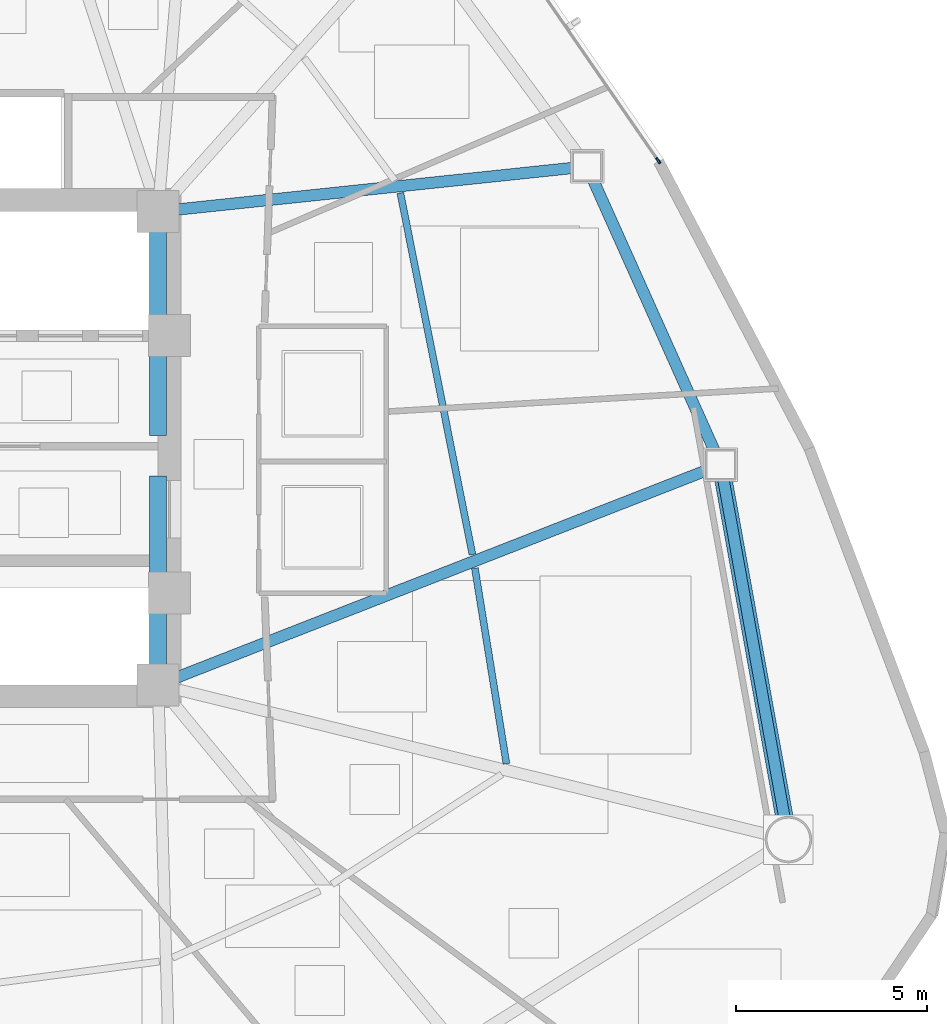
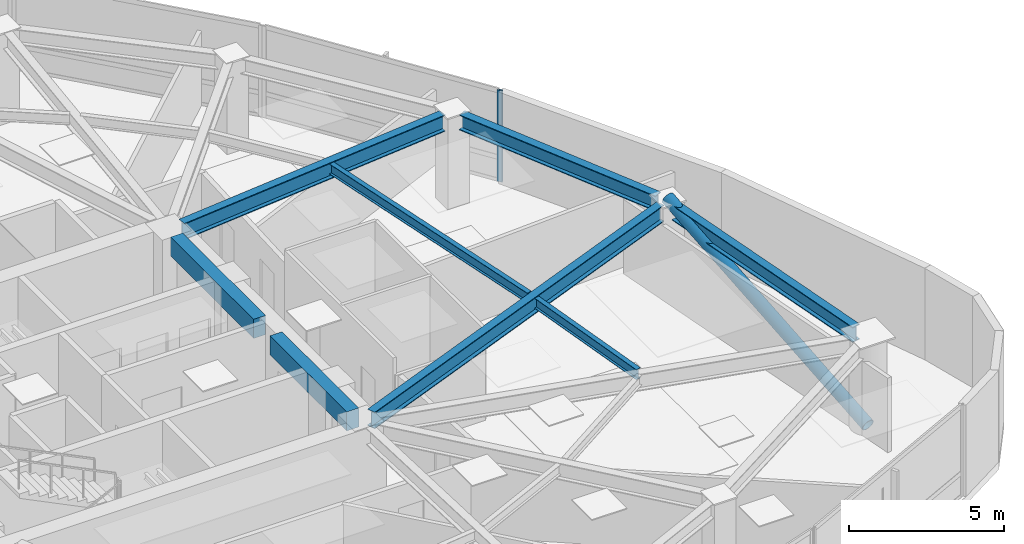
# One storey, part 7 of 18: 8 beams, 2 members, 1 element without a shape of its own.
"""IFC4 building model written with IfcOpenShell, lengths in metres."""

from ifc_helpers import new_model, si_unit, direction, frame, origin, origin_2d, place, context, subcontext, project, spatial, rectangle, hollow_rectangle, hollow_circle, i_section, extrude, source, transform, mapped, material, layer, layer_set, material_profile, profile_set, type_object, type_shapes, element, aggregate, save


model = new_model("IFC4")

# Units and contexts
model_context = context("Model", 3, precision=1e-05, world=origin(), true_north=direction((0.0, 1.0)))
body_context = subcontext(model_context, "Body", "Model", "MODEL_VIEW")
ifc_project = project(units=[si_unit("LENGTHUNIT", "METRE"), si_unit("AREAUNIT", "SQUARE_METRE"), si_unit("VOLUMEUNIT", "CUBIC_METRE"), si_unit("PLANEANGLEUNIT", "RADIAN"), si_unit("MASSUNIT", "GRAM", prefix="KILO")], contexts=[model_context])

# Site, building, storey
site_placement = place(None, origin())
site = spatial("IfcSite", under=ifc_project, at=site_placement, CompositionType="ELEMENT")
building_placement = place(site_placement, origin())
building = spatial("IfcBuilding", under=site, at=building_placement, Name="Tavelor Broadcast Tower", CompositionType="ELEMENT")
storey_placement = place(building_placement, frame((0.0, 0.0, 58.800048828125)))
storey = spatial("IfcBuildingStorey", under=building, at=storey_placement, Name="L13", CompositionType="ELEMENT", Elevation=58.800048828125)

# Beams
ifc_material_1 = material(Name="Concrete C40/50", Category="concrete")
ifc_material_profile_1 = material_profile(ifc_material_1, rectangle(XDim=0.449951171875, YDim=0.75, at=origin_2d()), Name="RC 450x750")
ifc_profile_set_1 = profile_set([ifc_material_profile_1], Name="Concrete C40/50")
beam_type_1 = type_object("IfcBeamType", Name="Basement Core Trim Beam 450x750", PredefinedType="BEAM", material=ifc_profile_set_1)
beam_1_placement = place(storey_placement, frame((56.60009765625, 45.327880859375, 3.224853515625), z_axis=(0.0, 1.0, 0.0), x_axis=(-1.0, 0.0, 0.0)))
element("IfcBeam", 1, at=beam_1_placement, inside=storey, type_object=beam_type_1, Name="L13 Core East-N Tie Girder", PredefinedType="BEAM", context=body_context, shape_type="SweptSolid", body=[
    extrude(rectangle(XDim=0.449951171875, YDim=0.75, at=origin_2d()), origin(), (0.0, 0.0, 1.0), 5.34423828125),
])
beam_2_placement = place(storey_placement, frame((56.60009765625, 39.327880859375, 3.224853515625), z_axis=(0.0, 1.0, 0.0), x_axis=(-1.0, 0.0, 0.0)))
element("IfcBeam", 2, at=beam_2_placement, inside=storey, type_object=beam_type_1, Name="L13 Core East-S Tie Girder", PredefinedType="BEAM", context=body_context, shape_type="SweptSolid", body=[
    extrude(rectangle(XDim=0.449951171875, YDim=0.75, at=origin_2d()), origin(), (0.0, 0.0, 1.0), 4.944091796875),
])
ifc_material_2 = material(Name="Steel S355", Category="steel")
ifc_material_profile_2 = material_profile(ifc_material_2, i_section(OverallWidth=0.179931640625, OverallDepth=0.39990234375, WebThickness=0.008544921875, FlangeThickness=0.013427734375, at=origin_2d()), Name="IPE 400")
ifc_profile_set_2 = profile_set([ifc_material_profile_2], Name="Steel S355")
beam_type_2 = type_object("IfcBeamType", Name="Composite Floor Joist T1 IPE 400", PredefinedType="JOIST", material=ifc_profile_set_2)
beam_3_placement = place(storey_placement, frame((65.728515625, 36.72998046875, 3.39990234375), z_axis=(-0.159264963379, 0.987235874267, 0.0), x_axis=(-0.987235874267, -0.159264963379, 0.0)))
element("IfcBeam", 3, at=beam_3_placement, inside=storey, type_object=beam_type_2, Name="L13 Secondary Composite Floor Joist 13", PredefinedType="JOIST", context=body_context, shape_type="SweptSolid", body=[
    extrude(i_section(OverallWidth=0.179931640625, OverallDepth=0.39990234375, WebThickness=0.008544921875, FlangeThickness=0.013427734375, at=origin_2d()), origin(), (0.0, 0.0, 1.0), 5.19189453125),
])
beam_4_placement = place(storey_placement, frame((64.83740234375, 42.2119140625, 3.39990234375), z_axis=(-0.195615567929, 0.980680656271, 0.0), x_axis=(-0.980680656271, -0.195615567929, 0.0)))
element("IfcBeam", 4, at=beam_4_placement, inside=storey, type_object=beam_type_2, Name="L13 Secondary Composite Floor Joist 14", PredefinedType="JOIST", context=body_context, shape_type="SweptSolid", body=[
    extrude(i_section(OverallWidth=0.179931640625, OverallDepth=0.39990234375, WebThickness=0.008544921875, FlangeThickness=0.013427734375, at=origin_2d()), origin(), (0.0, 0.0, 1.0), 9.661376953125),
])
ifc_material_profile_3 = material_profile(ifc_material_2, i_section(OverallWidth=0.300048828125, OverallDepth=0.60009765625, WebThickness=0.015380859375, FlangeThickness=0.030029296875, at=origin_2d()), Name="HEB 600")
ifc_profile_set_3 = profile_set([ifc_material_profile_3], Name="Steel S355")
beam_type_3 = type_object("IfcBeamType", Name="Perimeter Spandrel Beam T1 HEB 600", PredefinedType="SPANDREL", material=ifc_profile_set_3)
beam_5_placement = place(storey_placement, frame((73.013916015625, 35.31982421875, 3.300048828125), z_axis=(-0.177745578839, 0.984076475282, 0.0), x_axis=(-0.984076475282, -0.177745578839, 0.0)))
element("IfcBeam", 5, at=beam_5_placement, inside=storey, type_object=beam_type_3, Name="L13 Framed-Tube Ring Spandrel 13", PredefinedType="SPANDREL", context=body_context, shape_type="SweptSolid", body=[
    extrude(i_section(OverallWidth=0.300048828125, OverallDepth=0.60009765625, WebThickness=0.015380859375, FlangeThickness=0.030029296875, at=origin_2d()), origin(), (0.0, 0.0, 1.0), 9.010498046875),
])
beam_6_placement = place(storey_placement, frame((71.18701171875, 44.9150390625, 3.300048828125), z_axis=(-0.40892197507, 0.912569349861, 0.0), x_axis=(-0.912569349861, -0.40892197507, 0.0)))
element("IfcBeam", 6, at=beam_6_placement, inside=storey, type_object=beam_type_3, Name="L13 Framed-Tube Ring Spandrel 14", PredefinedType="SPANDREL", context=body_context, shape_type="SweptSolid", body=[
    extrude(i_section(OverallWidth=0.300048828125, OverallDepth=0.60009765625, WebThickness=0.015380859375, FlangeThickness=0.030029296875, at=origin_2d()), origin(), (0.0, 0.0, 1.0), 7.799072265625),
])

# Member
ifc_material_profile_4 = material_profile(ifc_material_2, hollow_circle(Radius=0.228515625, WallThickness=0.02001953125, at=origin_2d()), Name="CHS 457x20")
ifc_profile_set_4 = profile_set([ifc_material_profile_4], Name="Steel S355")
member_type_1 = type_object("IfcMemberType", Name="Perimeter Tube Brace T1 CHS 457x20", PredefinedType="BRACE", material=ifc_profile_set_4)
member_1_placement = place(storey_placement, frame((73.117919921875, 34.743896484375, 0.0), z_axis=(-0.167207286332, 0.925692306634, 0.339316190059), x_axis=(-0.984075144607, -0.177752945874, 0.0)))
element("IfcMember", 7, at=member_1_placement, inside=storey, type_object=member_type_1, Name="L13 Corner Tube Diagonal Brace 3", PredefinedType="BRACE", context=body_context, shape_type="SweptSolid", body=[
    extrude(hollow_circle(Radius=0.228515625, WallThickness=0.02001953125, at=origin_2d()), origin(), (0.0, 0.0, 1.0), 10.609130859375),
])

# Beams
ifc_material_profile_5 = material_profile(ifc_material_2, i_section(OverallWidth=0.300048828125, OverallDepth=0.64990234375, WebThickness=0.01611328125, FlangeThickness=0.031005859375, at=origin_2d()), Name="HEB 650")
ifc_profile_set_5 = profile_set([ifc_material_profile_5], Name="Steel S355")
beam_type_4 = type_object("IfcBeamType", Name="Radial Floor Girder T1 HEB 650", PredefinedType="BEAM", material=ifc_profile_set_5)
beam_7_placement = place(storey_placement, frame((57.091796875, 38.9921875, 3.27490234375), z_axis=(0.931344390249, 0.364139570429, 0.0), x_axis=(-0.364139570429, 0.931344390249, 0.0)))
element("IfcBeam", 8, at=beam_7_placement, inside=storey, type_object=beam_type_4, Name="L13 Radial Primary Floor Girder 14", PredefinedType="BEAM", context=body_context, shape_type="SweptSolid", body=[
    extrude(i_section(OverallWidth=0.300048828125, OverallDepth=0.64990234375, WebThickness=0.01611328125, FlangeThickness=0.031005859375, at=origin_2d()), origin(), (0.0, 0.0, 1.0), 14.9189453125),
])
beam_8_placement = place(storey_placement, frame((57.125, 51.255126953125, 3.27490234375), z_axis=(0.994511502262, 0.104627299822, 0.0), x_axis=(-0.104627299822, 0.994511502262, 0.0)))
element("IfcBeam", 9, at=beam_8_placement, inside=storey, type_object=beam_type_4, Name="L13 Radial Primary Floor Girder 15", PredefinedType="BEAM", context=body_context, shape_type="SweptSolid", body=[
    extrude(i_section(OverallWidth=0.300048828125, OverallDepth=0.64990234375, WebThickness=0.01611328125, FlangeThickness=0.031005859375, at=origin_2d()), origin(), (0.0, 0.0, 1.0), 10.390869140625),
])

# Curtain wall, member
ifc_material_3 = material(Name="Architectural Anodized Aluminium", Category="aluminium")
ifc_layer = layer(ifc_material_3, 0.179931640625)
ifc_layer_set = layer_set([ifc_layer], Name="Architectural Anodized Aluminium")
curtain_wall_type = type_object("IfcCurtainWallType", Name="Tower Low-Zone Unitised Curtain Wall CW02", PredefinedType="NOTDEFINED", material=ifc_layer_set)
curtain_wall_placement = place(storey_placement, origin())
curtain_wall = element("IfcCurtainWall", 10, at=curtain_wall_placement, inside=storey, type_object=curtain_wall_type, Name="L13 Curtain Wall CW02 Run 117", PredefinedType="NOTDEFINED")
ifc_material_profile_6 = material_profile(ifc_material_3, hollow_rectangle(XDim=0.06494140625, YDim=0.179931640625, WallThickness=0.02197265625, at=origin_2d()), Name="RHS 65x180x22")
ifc_profile_set_6 = profile_set([ifc_material_profile_6], Name="Architectural Anodized Aluminium")
member_type_2 = type_object("IfcMemberType", Name="CW02 Extruded Aluminium Mullion 65x180", PredefinedType="MULLION", material=ifc_profile_set_6)
shared_shape = source(origin(), body_context, "Body", "SweptSolid", [
    extrude(hollow_rectangle(XDim=0.06494140625, YDim=0.179931640625, WallThickness=0.02197265625, at=origin_2d()), origin(), (0.0, 0.0, 1.0), 3.599853515625),
])
type_shapes(member_type_2, [shared_shape])
member_2_placement = place(storey_placement, frame((69.70458984375, 52.533447265625, 0.0), z_axis=(0.0, 0.0, 1.0), x_axis=(-0.82288955282, -0.568201358552, 0.0)))
member_2 = element("IfcMember", 11, at=member_2_placement, type_object=member_type_2, Name="CW02 mullion 1", PredefinedType="MULLION", context=body_context, shape_type="MappedRepresentation", body=[
    mapped(shared_shape, transform((0.0, 0.0, 0.0), scale=1.0)),
])
aggregate(curtain_wall, [member_2])

save(model, "model.ifc")
